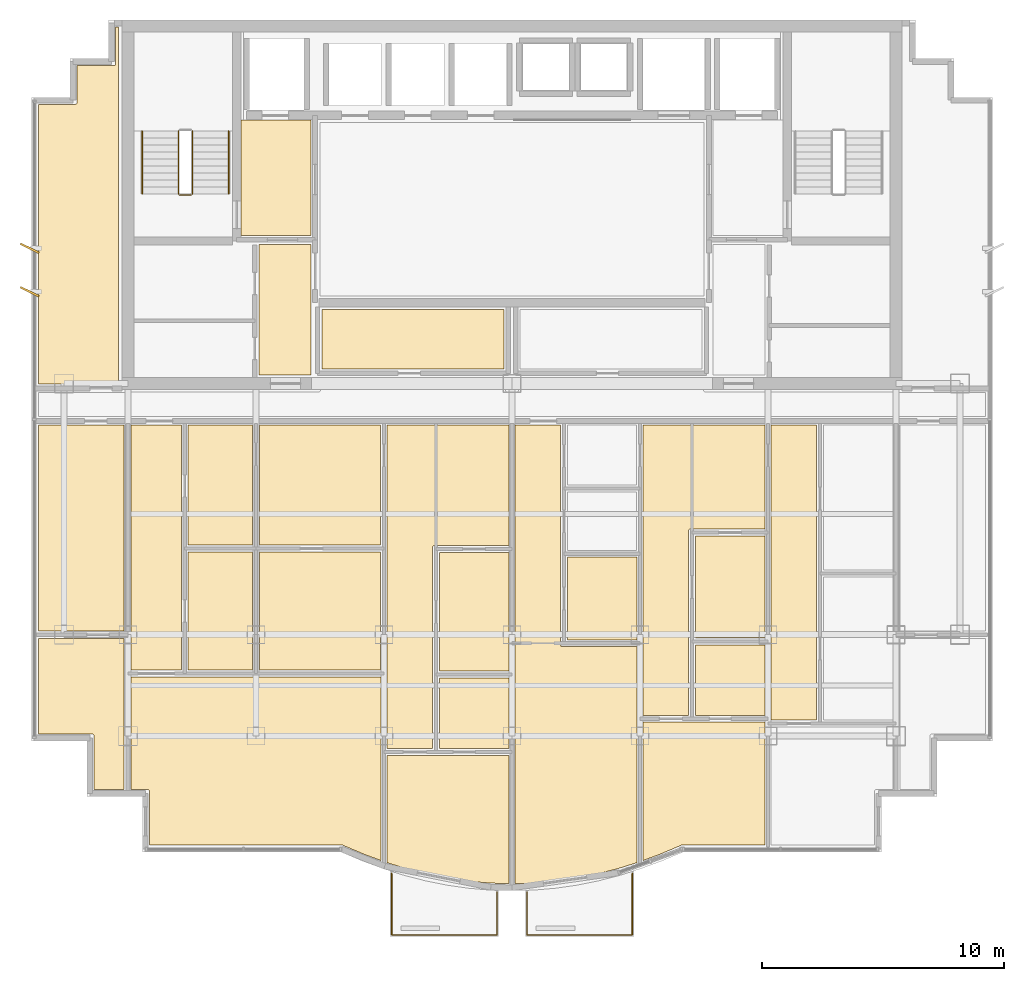
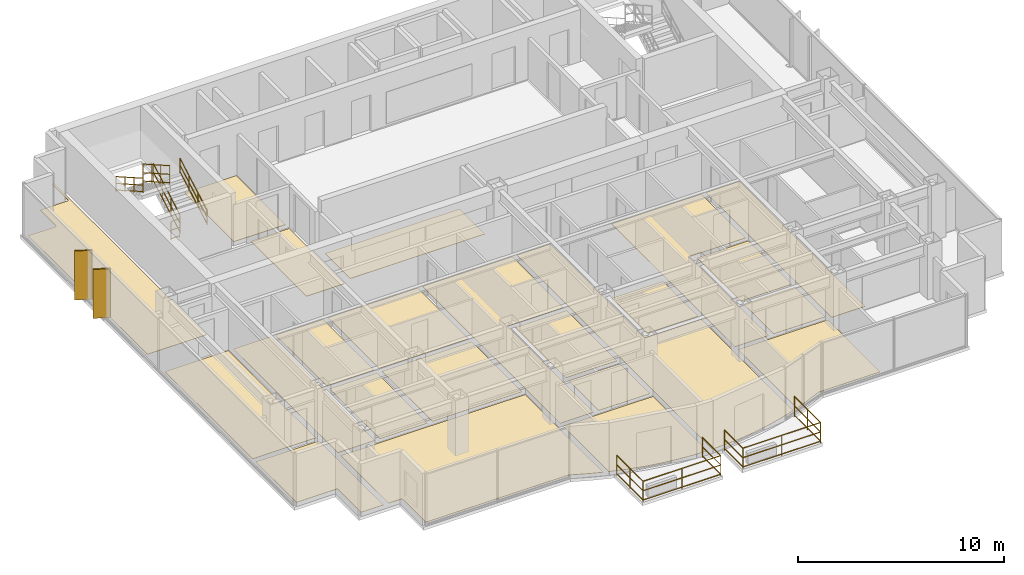
# One storey, part 11 of 12: 23 coverings, 7 railings, 2 shading devices.
"""IFC4 building model written with IfcOpenShell, lengths in metres."""

import ifcopenshell
import ifcopenshell.guid

model = None  # the IFC model being written
_history = None  # IfcOwnerHistory: only IFC2X3 demands one
_inside = {}  # id of a spatial element -> (the spatial element, [elements in it])
_under = {}  # id of a project, library or spatial element -> (it, [spatial elements below it])
_declared = {}  # id of a project -> (the project, [libraries it declares])
_typed = {}  # id of a type object -> (the type object, [elements of that type])
_made_of = {}  # id of a material, layer set ... -> (it, [elements and type objects made of it])


def new_model(schema):
    """Start an empty IFC model of exactly this schema.

    Asked for "IFC4X3", IfcOpenShell would pick the latest addendum, in which some entities
    have other attributes; the version numbers below select the first issue.
    IFC2X3 requires an IfcOwnerHistory on every rooted entity: one is made here for all.
    """
    global model, _history
    if schema == "IFC4X3":
        model = ifcopenshell.file(schema_version=(4, 3, 0, 0))
    else:
        model = ifcopenshell.file(schema=schema)
    _inside.clear()
    _under.clear()
    _declared.clear()
    _typed.clear()
    _made_of.clear()
    _history = None
    if model.schema == "IFC2X3":
        org = make("IfcOrganization", Name="unknown")
        user = make(
            "IfcPersonAndOrganization",
            ThePerson=make("IfcPerson", FamilyName="unknown"),
            TheOrganization=org,
        )
        app = make(
            "IfcApplication",
            ApplicationDeveloper=org,
            Version="unknown",
            ApplicationFullName="unknown",
            ApplicationIdentifier="unknown",
        )
        _history = make(
            "IfcOwnerHistory",
            OwningUser=user,
            OwningApplication=app,
            ChangeAction="ADDED",
            CreationDate=0,
        )
    return model


def make(cls, **values):
    """One entity of the class cls with the attributes given. An attribute that is None is left unset."""
    return model.create_entity(
        cls, **{name: value for name, value in values.items() if value is not None}
    )


def rooted(cls, **values):
    """An entity with a GlobalId (a new one), such as an element, a storey or a relation."""
    return make(cls, GlobalId=ifcopenshell.guid.new(), OwnerHistory=_history, **values)


def si_unit(unit_type, name, prefix=None):
    """IfcSIUnit, for example si_unit("LENGTHUNIT", "METRE", prefix="MILLI")."""
    return make("IfcSIUnit", UnitType=unit_type, Prefix=prefix, Name=name)


def assignment(units):
    """IfcUnitAssignment: the units of a project."""
    return None if units is None else make("IfcUnitAssignment", Units=units)


def point(xyz):
    """IfcCartesianPoint."""
    return None if xyz is None else make("IfcCartesianPoint", Coordinates=xyz)


def direction(xyz):
    """IfcDirection."""
    return None if xyz is None else make("IfcDirection", DirectionRatios=xyz)


def frame(location, z_axis=None, x_axis=None):
    """IfcAxis2Placement3D, a coordinate frame: its origin and axes. An axis left out is left unset."""
    return make(
        "IfcAxis2Placement3D",
        Location=point(location),
        Axis=direction(z_axis),
        RefDirection=direction(x_axis),
    )


def frame_2d(location, x_axis=None):
    """IfcAxis2Placement2D, a coordinate frame in the plane: its origin and x axis."""
    return make(
        "IfcAxis2Placement2D", Location=point(location), RefDirection=direction(x_axis)
    )


def origin():
    """The frame at (0, 0, 0) with its axes left unset."""
    return frame((0.0, 0.0, 0.0))


def origin_2d():
    """The frame at (0, 0) in the plane with its x axis left unset."""
    return frame_2d((0.0, 0.0))


def place(relative_to, where):
    """IfcLocalPlacement: puts the frame where relative to a parent placement (None: the world)."""
    return make(
        "IfcLocalPlacement", PlacementRelTo=relative_to, RelativePlacement=where
    )


def context(
    kind, dimensions, precision=None, world=None, true_north=None, identifier=None
):
    """IfcGeometricRepresentationContext, for example the 3D "Model" context."""
    return make(
        "IfcGeometricRepresentationContext",
        ContextIdentifier=identifier,
        ContextType=kind,
        CoordinateSpaceDimension=dimensions,
        Precision=precision,
        WorldCoordinateSystem=world,
        TrueNorth=true_north,
    )


def subcontext(parent, identifier, kind, view, scale=None):
    """IfcGeometricRepresentationSubContext, for example "Body" below "Model"."""
    return make(
        "IfcGeometricRepresentationSubContext",
        ContextIdentifier=identifier,
        ContextType=kind,
        ParentContext=parent,
        TargetScale=scale,
        TargetView=view,
    )


def project(units=None, contexts=None):
    """IfcProject with its units and contexts."""
    return rooted(
        "IfcProject",
        Name="project",
        RepresentationContexts=contexts,
        UnitsInContext=assignment(units),
    )


def spatial(cls, under=None, at=None, **own):
    """A site, building, storey or space (cls), placed at a placement, below another one or the project."""
    s = rooted(cls, ObjectPlacement=at, **own)
    if under is not None:
        _under.setdefault(under.id(), (under, []))[1].append(s)
    return s


def polyline(points):
    """IfcPolyline through the points."""
    return make("IfcPolyline", Points=[point(p) for p in points])


def profile(cls, at=None, kind="AREA", **sizes):
    """A parametric profile (cls). Its sizes go by their IFC names, for example OverallWidth=200.0."""
    return make(cls, ProfileType=kind, Position=at, **sizes)


def rectangle(**sizes):
    """IfcRectangleProfileDef."""
    return profile("IfcRectangleProfileDef", **sizes)


def circle(**sizes):
    """IfcCircleProfileDef."""
    return profile("IfcCircleProfileDef", **sizes)


def outline(outer, holes=None, kind="AREA"):
    """IfcArbitraryClosedProfileDef: a profile drawn as a closed curve; with holes, ...WithVoids."""
    if holes is None:
        return make("IfcArbitraryClosedProfileDef", ProfileType=kind, OuterCurve=outer)
    return make(
        "IfcArbitraryProfileDefWithVoids",
        ProfileType=kind,
        OuterCurve=outer,
        InnerCurves=holes,
    )


def extrude(swept, where, along, depth):
    """IfcExtrudedAreaSolid: the profile swept, set in the frame where, extruded along a direction by depth."""
    return make(
        "IfcExtrudedAreaSolid",
        SweptArea=swept,
        Position=where,
        ExtrudedDirection=direction(along),
        Depth=depth,
    )


def shape(context_of_items, identifier, shape_type, items):
    """IfcShapeRepresentation: the items that make up one representation, for example the "Body"."""
    return make(
        "IfcShapeRepresentation",
        ContextOfItems=context_of_items,
        RepresentationIdentifier=identifier,
        RepresentationType=shape_type,
        Items=items,
    )


def source(mapping_origin, context_of_items, identifier, shape_type, items):
    """IfcRepresentationMap: a shape defined once, which mapped items show again and again."""
    return make(
        "IfcRepresentationMap",
        MappingOrigin=mapping_origin,
        MappedRepresentation=shape(context_of_items, identifier, shape_type, items),
    )


def transform(
    local_origin,
    x_axis=None,
    y_axis=None,
    z_axis=None,
    scale=None,
    scale2=None,
    scale3=None,
    uniform=True,
):
    """IfcCartesianTransformationOperator3D, or its non-uniform kind. x_axis, y_axis, z_axis: its Axis1, 2, 3."""
    if uniform:
        return make(
            "IfcCartesianTransformationOperator3D",
            Axis1=direction(x_axis),
            Axis2=direction(y_axis),
            LocalOrigin=point(local_origin),
            Scale=scale,
            Axis3=direction(z_axis),
        )
    return make(
        "IfcCartesianTransformationOperator3DnonUniform",
        Axis1=direction(x_axis),
        Axis2=direction(y_axis),
        LocalOrigin=point(local_origin),
        Scale=scale,
        Axis3=direction(z_axis),
        Scale2=scale2,
        Scale3=scale3,
    )


def mapped(mapping_source, mapping_target):
    """IfcMappedItem: shows the shape of a source again, moved by a transform."""
    return make(
        "IfcMappedItem", MappingSource=mapping_source, MappingTarget=mapping_target
    )


def material(Name=None, Category=None):
    """IfcMaterial."""
    return make("IfcMaterial", Name=Name, Category=Category)


def layer(
    of_material, thickness, ventilated=None, Name=None, Category=None, Priority=None
):
    """IfcMaterialLayer: one layer of a wall or slab, of a material (None: an air gap)."""
    return make(
        "IfcMaterialLayer",
        Material=of_material,
        LayerThickness=thickness,
        IsVentilated=ventilated,
        Name=Name,
        Category=Category,
        Priority=Priority,
    )


def layer_set(layers, Name=None):
    """IfcMaterialLayerSet."""
    return make("IfcMaterialLayerSet", MaterialLayers=layers, LayerSetName=Name)


def made_of(thing, what):
    """Note that an element or type object is made of a material, layer set ...; save() writes the relation."""
    if what is not None:
        _made_of.setdefault(what.id(), (what, []))[1].append(thing)
    return thing


def type_object(cls, material=None, **own):
    """A type object (cls), such as IfcWallType, which elements share."""
    return made_of(rooted(cls, **own), material)


def element(
    cls,
    number,
    at=None,
    inside=None,
    cuts=None,
    type_object=None,
    material=None,
    context=None,
    identifier="Body",
    shape_type=None,
    held_by="IfcProductDefinitionShape",
    body=None,
    shapes=None,
    **own,
):
    """One element of the class cls, such as IfcWall. Its Tag is "e" and its number.

    at: its placement. inside: the storey or other place that contains it. cuts: it is an
    opening in that element (IfcRelVoidsElement). A single representation is given by context,
    identifier, shape_type and body (its items); several are given by shapes. held_by: the class
    of the entity that holds the representations. save() writes the other relations.
    """
    e = rooted(cls, Tag="e%d" % number, ObjectPlacement=at, **own)
    if body is not None:
        shapes = [shape(context, identifier, shape_type, body)]
    if shapes is not None:
        e.Representation = make(held_by, Representations=shapes)
    if inside is not None:
        _inside.setdefault(inside.id(), (inside, []))[1].append(e)
    if cuts is not None:
        rooted(
            "IfcRelVoidsElement", RelatingBuildingElement=cuts, RelatedOpeningElement=e
        )
    if type_object is not None:
        _typed.setdefault(type_object.id(), (type_object, []))[1].append(e)
    return made_of(e, material)


def aggregate(whole, parts):
    """IfcRelAggregates: a whole, such as a stair, and the parts it consists of."""
    return rooted("IfcRelAggregates", RelatingObject=whole, RelatedObjects=parts)


def save(model, path):
    """Write the relations noted so far, then the file.

    IfcRelAggregates (storeys below a building ...), IfcRelContainedInSpatialStructure (elements
    in a storey), IfcRelDefinesByType, IfcRelAssociatesMaterial and IfcRelDeclares: one each for
    every whole, place, type object, material and project.
    """
    for whole, parts in _under.values():
        aggregate(whole, parts)
    for where, things in _inside.values():
        rooted(
            "IfcRelContainedInSpatialStructure",
            RelatedElements=things,
            RelatingStructure=where,
        )
    for kind, things in _typed.values():
        rooted("IfcRelDefinesByType", RelatedObjects=things, RelatingType=kind)
    for what, things in _made_of.values():
        rooted("IfcRelAssociatesMaterial", RelatedObjects=things, RelatingMaterial=what)
    for by, libraries in _declared.values():
        rooted("IfcRelDeclares", RelatingContext=by, RelatedDefinitions=libraries)
    model.write(path)


model = new_model("IFC4")

# Units and contexts
model_context = context("Model", 3, precision=1e-05, world=origin(), true_north=direction((0.0, 1.0)))
body_context = subcontext(model_context, "Body", "Model", "MODEL_VIEW")
ifc_project = project(units=[si_unit("LENGTHUNIT", "METRE"), si_unit("AREAUNIT", "SQUARE_METRE"), si_unit("VOLUMEUNIT", "CUBIC_METRE"), si_unit("PLANEANGLEUNIT", "RADIAN"), si_unit("MASSUNIT", "GRAM", prefix="KILO")], contexts=[model_context])

# Site, building, storey
site_placement = place(None, origin())
site = spatial("IfcSite", under=ifc_project, at=site_placement, CompositionType="ELEMENT")
building_placement = place(site_placement, origin())
building = spatial("IfcBuilding", under=site, at=building_placement, Name="Qianlan Lanfeng Residences", CompositionType="ELEMENT")
storey_placement = place(building_placement, frame((0.0, 0.0, 216.5)))
storey = spatial("IfcBuildingStorey", under=building, at=storey_placement, Name="L59", CompositionType="ELEMENT", Elevation=216.5)

# Coverings
ifc_material_1 = material(Name="Honed Taitung Granite Stone Flooring", Category="masonry")
ifc_layer_1 = layer(ifc_material_1, 0.030029296875)
ifc_layer_set_1 = layer_set([ifc_layer_1], Name="Honed Taitung Granite Stone Flooring")
covering_type_1 = type_object("IfcCoveringType", Name="FLR-STN-30", PredefinedType="FLOORING", material=ifc_layer_set_1)
covering_1_placement = place(storey_placement, origin())
element("IfcCovering", 1, at=covering_1_placement, inside=storey, type_object=covering_type_1, Name="L59 Firefighting Lift Lobby Floor Finish", PredefinedType="FLOORING", context=body_context, shape_type="SweptSolid", body=[
    extrude(outline(polyline([(15.2900390625, 31.320068359375), (18.179931640625, 31.320068359375), (18.179931640625, 36.110107421875), (15.2900390625, 36.110107421875), (15.2900390625, 31.320068359375)])), origin(), (0.0, 0.0, 1.0), 0.030029296875),
])
covering_2_placement = place(storey_placement, origin())
element("IfcCovering", 2, at=covering_2_placement, inside=storey, type_object=covering_type_1, Name="L59 Lift Lobby Floor Finish", PredefinedType="FLOORING", context=body_context, shape_type="SweptSolid", body=[
    extrude(outline(polyline([(16.030029296875, 25.56005859375), (18.169921875, 25.56005859375), (18.169921875, 30.949951171875), (16.030029296875, 30.949951171875), (16.030029296875, 25.56005859375)])), origin(), (0.0, 0.0, 1.0), 0.030029296875),
])
ifc_material_2 = material(Name="Slip-Resistant Porcelain Tile Flooring")
ifc_layer_2 = layer(ifc_material_2, 0.02001953125)
ifc_layer_set_2 = layer_set([ifc_layer_2], Name="Slip-Resistant Porcelain Tile Flooring")
covering_type_2 = type_object("IfcCoveringType", Name="FLR-TIL-20", PredefinedType="FLOORING", material=ifc_layer_set_2)
covering_3_placement = place(storey_placement, origin())
element("IfcCovering", 3, at=covering_3_placement, inside=storey, type_object=covering_type_2, Name="L59 Kitchen Floor Finish", PredefinedType="FLOORING", context=body_context, shape_type="SweptSolid", body=[
    extrude(outline(polyline([(13.090087890625, 13.330078125), (15.760009765625, 13.330078125), (15.760009765625, 18.22998046875), (13.090087890625, 18.22998046875), (13.090087890625, 13.330078125)])), origin(), (0.0, 0.0, 1.0), 0.02001953125),
])
covering_4_placement = place(storey_placement, origin())
element("IfcCovering", 4, at=covering_4_placement, inside=storey, type_object=covering_type_2, Name="L59 Bathroom Floor Finish", PredefinedType="FLOORING", context=body_context, shape_type="SweptSolid", body=[
    extrude(outline(polyline([(13.090087890625, 18.510009765625), (15.760009765625, 18.510009765625), (15.760009765625, 23.47998046875), (13.090087890625, 23.47998046875), (13.090087890625, 18.510009765625)])), origin(), (0.0, 0.0, 1.0), 0.02001953125),
])
covering_5_placement = place(storey_placement, origin())
element("IfcCovering", 5, at=covering_5_placement, inside=storey, type_object=covering_type_2, Name="L59 En-Suite Bathroom Floor Finish", PredefinedType="FLOORING", context=body_context, shape_type="SweptSolid", body=[
    extrude(outline(polyline([(23.489990234375, 10.087890625), (26.3701171875, 10.087890625), (26.3701171875, 13.008056640625), (23.489990234375, 13.008056640625), (23.489990234375, 10.087890625)])), origin(), (0.0, 0.0, 1.0), 0.02001953125),
])
covering_6_placement = place(storey_placement, origin())
element("IfcCovering", 6, at=covering_6_placement, inside=storey, type_object=covering_type_2, Name="L59 En-Suite Bathroom Floor Finish", PredefinedType="FLOORING", context=body_context, shape_type="SweptSolid", body=[
    extrude(outline(polyline([(34.090087890625, 11.4599609375), (36.969970703125, 11.4599609375), (36.969970703125, 14.3798828125), (34.090087890625, 14.3798828125), (34.090087890625, 11.4599609375)])), origin(), (0.0, 0.0, 1.0), 0.02001953125),
])
ifc_material_3 = material(Name="Engineered Smoked Oak Timber Flooring", Category="wood")
ifc_layer_3 = layer(ifc_material_3, 0.02197265625)
ifc_layer_set_3 = layer_set([ifc_layer_3], Name="Engineered Smoked Oak Timber Flooring")
covering_type_3 = type_object("IfcCoveringType", Name="FLR-TIM-22", PredefinedType="FLOORING", material=ifc_layer_set_3)
covering_7_placement = place(storey_placement, origin())
element("IfcCovering", 7, at=covering_7_placement, inside=storey, type_object=covering_type_3, Name="L59 Resident Study Salon Floor Finish", PredefinedType="FLOORING", context=body_context, shape_type="SweptSolid", body=[
    extrude(outline(polyline([(18.6298828125, 25.800048828125), (26.169921875, 25.800048828125), (26.169921875, 28.2548828125), (18.6298828125, 28.2548828125), (18.6298828125, 25.800048828125)])), origin(), (0.0, 0.0, 1.0), 0.02197265625),
])
covering_8_placement = place(storey_placement, origin())
element("IfcCovering", 8, at=covering_8_placement, inside=storey, type_object=covering_type_3, Name="L59 Living and Dining Room Floor Finish", PredefinedType="FLOORING", context=body_context, shape_type="SweptSolid", body=[
    extrude(outline(polyline([(10.72998046875, 13.050048828125), (10.72998046875, 8.389892578125), (11.419921875, 8.389892578125), (11.427001953125, 8.389892578125), (11.43408203125, 8.388916015625), (11.43994140625, 8.386962890625), (11.447021484375, 8.385009765625), (11.452880859375, 8.382080078125), (11.458984375, 8.3779296875), (11.464111328125, 8.3740234375), (11.468994140625, 8.368896484375), (11.47412109375, 8.364013671875), (11.47802734375, 8.35888671875), (11.48193359375, 8.35302734375), (11.485107421875, 8.346923828125), (11.487060546875, 8.340087890625), (11.489013671875, 8.333984375), (11.489990234375, 8.326904296875), (11.489990234375, 8.320068359375), (11.489990234375, 6.090087890625), (19.465087890625, 6.090087890625), (19.471923828125, 6.090087890625), (19.47900390625, 6.089111328125), (19.485107421875, 6.0869140625), (19.491943359375, 6.083984375), (20.412109375, 5.695068359375), (21.070068359375, 5.452880859375), (21.070068359375, 13.050048828125), (10.72998046875, 13.050048828125)])), origin(), (0.0, 0.0, 1.0), 0.02197265625),
])
covering_9_placement = place(storey_placement, origin())
element("IfcCovering", 9, at=covering_9_placement, inside=storey, type_object=covering_type_3, Name="L59 Family Sitting Room Floor Finish", PredefinedType="FLOORING", context=body_context, shape_type="SweptSolid", body=[
    extrude(outline(polyline([(10.72998046875, 13.330078125), (12.81005859375, 13.330078125), (12.81005859375, 23.47998046875), (10.72998046875, 23.47998046875), (10.72998046875, 13.330078125)])), origin(), (0.0, 0.0, 1.0), 0.02197265625),
])
covering_10_placement = place(storey_placement, origin())
element("IfcCovering", 10, at=covering_10_placement, inside=storey, type_object=covering_type_3, Name="L59 Yoga Studio Floor Finish", PredefinedType="FLOORING", context=body_context, shape_type="SweptSolid", body=[
    extrude(outline(polyline([(16.0400390625, 13.330078125), (21.06005859375, 13.330078125), (21.06005859375, 18.22998046875), (16.0400390625, 18.22998046875), (16.0400390625, 13.330078125)])), origin(), (0.0, 0.0, 1.0), 0.02197265625),
])
covering_11_placement = place(storey_placement, origin())
element("IfcCovering", 11, at=covering_11_placement, inside=storey, type_object=covering_type_3, Name="L59 Home Office Floor Finish", PredefinedType="FLOORING", context=body_context, shape_type="SweptSolid", body=[
    extrude(outline(polyline([(16.0400390625, 18.510009765625), (21.06005859375, 18.510009765625), (21.06005859375, 23.47998046875), (16.0400390625, 23.47998046875), (16.0400390625, 18.510009765625)])), origin(), (0.0, 0.0, 1.0), 0.02197265625),
])
covering_12_placement = place(storey_placement, origin())
element("IfcCovering", 12, at=covering_12_placement, inside=storey, type_object=covering_type_3, Name="L59 Private Study Floor Finish", PredefinedType="FLOORING", context=body_context, shape_type="SweptSolid", body=[
    extrude(outline(polyline([(23.489990234375, 13.2880859375), (26.3701171875, 13.2880859375), (26.3701171875, 18.208984375), (23.489990234375, 18.208984375), (23.489990234375, 13.2880859375)])), origin(), (0.0, 0.0, 1.0), 0.02197265625),
])
covering_13_placement = place(storey_placement, origin())
element("IfcCovering", 13, at=covering_13_placement, inside=storey, type_object=covering_type_3, Name="L59 Villa Family Sitting Room Floor Finish", PredefinedType="FLOORING", context=body_context, shape_type="SweptSolid", body=[
    extrude(outline(polyline([(21.330078125, 10.087890625), (23.2099609375, 10.087890625), (23.2099609375, 18.4189453125), (23.2099609375, 18.426025390625), (23.2109375, 18.43310546875), (23.212890625, 18.43896484375), (23.215087890625, 18.446044921875), (23.218017578125, 18.451904296875), (23.221923828125, 18.4580078125), (23.22607421875, 18.462890625), (23.23095703125, 18.468017578125), (23.236083984375, 18.472900390625), (23.240966796875, 18.47705078125), (23.2470703125, 18.48095703125), (23.2529296875, 18.48388671875), (23.260009765625, 18.486083984375), (23.26611328125, 18.488037109375), (23.27294921875, 18.489013671875), (23.280029296875, 18.489013671875), (26.3701171875, 18.489013671875), (26.3701171875, 23.47998046875), (21.330078125, 23.47998046875), (21.330078125, 10.087890625)])), origin(), (0.0, 0.0, 1.0), 0.02197265625),
])
covering_14_placement = place(storey_placement, origin())
element("IfcCovering", 14, at=covering_14_placement, inside=storey, type_object=covering_type_3, Name="L59 Master Bedroom Floor Finish", PredefinedType="FLOORING", context=body_context, shape_type="SweptSolid", body=[
    extrude(outline(polyline([(21.330078125, 9.80810546875), (21.3310546875, 5.360107421875), (22.154052734375, 5.10400390625), (23.02392578125, 4.883056640625), (23.89306640625, 4.7109375), (24.762939453125, 4.587890625), (25.631103515625, 4.514892578125), (26.3701171875, 4.493896484375), (26.3701171875, 9.80810546875), (21.330078125, 9.80810546875)])), origin(), (0.0, 0.0, 1.0), 0.02197265625),
])
covering_15_placement = place(storey_placement, origin())
element("IfcCovering", 15, at=covering_15_placement, inside=storey, type_object=covering_type_3, Name="L59 Living and Dining Room Floor Finish", PredefinedType="FLOORING", context=body_context, shape_type="SweptSolid", body=[
    extrude(outline(polyline([(31.669921875, 5.360107421875), (31.669921875, 14.30810546875), (28.580078125, 14.30810546875), (28.572998046875, 14.30810546875), (28.56591796875, 14.30908203125), (28.56005859375, 14.31103515625), (28.552978515625, 14.31298828125), (28.547119140625, 14.31591796875), (28.541015625, 14.320068359375), (28.535888671875, 14.323974609375), (28.531005859375, 14.3291015625), (28.52587890625, 14.333984375), (28.52197265625, 14.339111328125), (28.51806640625, 14.344970703125), (28.514892578125, 14.35107421875), (28.512939453125, 14.35791015625), (28.510986328125, 14.364013671875), (28.510009765625, 14.37109375), (28.510009765625, 14.3779296875), (28.510009765625, 23.47998046875), (26.6298828125, 23.47998046875), (26.6298828125, 4.493896484375), (27.368896484375, 4.514892578125), (28.237060546875, 4.587890625), (29.10693359375, 4.7109375), (29.97607421875, 4.883056640625), (30.845947265625, 5.10400390625), (31.669921875, 5.360107421875)])), origin(), (0.0, 0.0, 1.0), 0.02197265625),
])
covering_16_placement = place(storey_placement, origin())
element("IfcCovering", 16, at=covering_16_placement, inside=storey, type_object=covering_type_3, Name="L59 Private Study Floor Finish", PredefinedType="FLOORING", context=body_context, shape_type="SweptSolid", body=[
    extrude(outline(polyline([(28.7900390625, 18.010009765625), (28.7900390625, 14.587890625), (31.669921875, 14.587890625), (31.669921875, 18.010009765625), (28.7900390625, 18.010009765625)])), origin(), (0.0, 0.0, 1.0), 0.02197265625),
])
covering_17_placement = place(storey_placement, origin())
element("IfcCovering", 17, at=covering_17_placement, inside=storey, type_object=covering_type_3, Name="L59 Private Study Floor Finish", PredefinedType="FLOORING", context=body_context, shape_type="SweptSolid", body=[
    extrude(outline(polyline([(34.090087890625, 14.659912109375), (36.969970703125, 14.659912109375), (36.969970703125, 18.89501953125), (34.090087890625, 18.89501953125), (34.090087890625, 14.659912109375)])), origin(), (0.0, 0.0, 1.0), 0.02197265625),
])
covering_18_placement = place(storey_placement, origin())
element("IfcCovering", 18, at=covering_18_placement, inside=storey, type_object=covering_type_3, Name="L59 Villa Family Sitting Room Floor Finish", PredefinedType="FLOORING", context=body_context, shape_type="SweptSolid", body=[
    extrude(outline(polyline([(31.929931640625, 11.4599609375), (33.81005859375, 11.4599609375), (33.81005859375, 19.10498046875), (33.81005859375, 19.112060546875), (33.81103515625, 19.118896484375), (33.81298828125, 19.125), (33.81494140625, 19.132080078125), (33.818115234375, 19.137939453125), (33.822021484375, 19.14404296875), (33.825927734375, 19.14892578125), (33.8310546875, 19.154052734375), (33.8359375, 19.158935546875), (33.841064453125, 19.1630859375), (33.846923828125, 19.1669921875), (33.85302734375, 19.169921875), (33.860107421875, 19.172119140625), (33.865966796875, 19.174072265625), (33.873046875, 19.175048828125), (33.8798828125, 19.175048828125), (36.969970703125, 19.175048828125), (36.969970703125, 23.47998046875), (31.929931640625, 23.47998046875), (31.929931640625, 11.4599609375)])), origin(), (0.0, 0.0, 1.0), 0.02197265625),
])
covering_19_placement = place(storey_placement, origin())
element("IfcCovering", 19, at=covering_19_placement, inside=storey, type_object=covering_type_3, Name="L59 Master Bedroom Floor Finish", PredefinedType="FLOORING", context=body_context, shape_type="SweptSolid", body=[
    extrude(outline(polyline([(31.929931640625, 11.179931640625), (31.929931640625, 5.452880859375), (32.587890625, 5.695068359375), (33.508056640625, 6.083984375), (33.514892578125, 6.0869140625), (33.52099609375, 6.089111328125), (33.528076171875, 6.090087890625), (33.534912109375, 6.090087890625), (36.969970703125, 6.090087890625), (36.969970703125, 11.179931640625), (31.929931640625, 11.179931640625)])), origin(), (0.0, 0.0, 1.0), 0.02197265625),
])
covering_20_placement = place(storey_placement, origin())
element("IfcCovering", 20, at=covering_20_placement, inside=storey, type_object=covering_type_3, Name="L59 Home Office Floor Finish", PredefinedType="FLOORING", context=body_context, shape_type="SweptSolid", body=[
    extrude(outline(polyline([(37.22998046875, 11.260009765625), (39.110107421875, 11.260009765625), (39.110107421875, 23.47998046875), (37.22998046875, 23.47998046875), (37.22998046875, 11.260009765625)])), origin(), (0.0, 0.0, 1.0), 0.02197265625),
])
covering_21_placement = place(storey_placement, origin())
element("IfcCovering", 21, at=covering_21_placement, inside=storey, type_object=covering_type_3, Name="L59 Sunroom Floor Finish", PredefinedType="FLOORING", context=body_context, shape_type="SweptSolid", body=[
    extrude(outline(polyline([(10.43994140625, 14.64990234375), (6.889892578125, 14.64990234375), (6.889892578125, 10.68994140625), (9.1201171875, 10.68994140625), (9.126953125, 10.68994140625), (9.134033203125, 10.68896484375), (9.139892578125, 10.68701171875), (9.14697265625, 10.68505859375), (9.153076171875, 10.681884765625), (9.158935546875, 10.677978515625), (9.1640625, 10.674072265625), (9.1689453125, 10.6689453125), (9.174072265625, 10.6640625), (9.177978515625, 10.658935546875), (9.181884765625, 10.653076171875), (9.18505859375, 10.64697265625), (9.18701171875, 10.639892578125), (9.18896484375, 10.634033203125), (9.18994140625, 10.626953125), (9.18994140625, 10.6201171875), (9.18994140625, 8.389892578125), (10.43994140625, 8.389892578125), (10.43994140625, 14.64990234375)])), origin(), (0.0, 0.0, 1.0), 0.02197265625),
])
covering_22_placement = place(storey_placement, origin())
element("IfcCovering", 22, at=covering_22_placement, inside=storey, type_object=covering_type_3, Name="L59 Family Sitting Room Floor Finish", PredefinedType="FLOORING", context=body_context, shape_type="SweptSolid", body=[
    extrude(outline(polyline([(10.43994140625, 23.47998046875), (6.889892578125, 23.47998046875), (6.889892578125, 14.949951171875), (10.43994140625, 14.949951171875), (10.43994140625, 23.47998046875)])), origin(), (0.0, 0.0, 1.0), 0.02197265625),
])
covering_23_placement = place(storey_placement, origin())
element("IfcCovering", 23, at=covering_23_placement, inside=storey, type_object=covering_type_3, Name="L59 Yoga Studio Floor Finish", PredefinedType="FLOORING", context=body_context, shape_type="SweptSolid", body=[
    extrude(outline(polyline([(10.199951171875, 25.169921875), (10.199951171875, 39.9599609375), (10.090087890625, 39.9599609375), (10.090087890625, 38.429931640625), (10.090087890625, 38.423095703125), (10.089111328125, 38.416015625), (10.0869140625, 38.409912109375), (10.0849609375, 38.403076171875), (10.08203125, 38.39697265625), (10.077880859375, 38.39111328125), (10.073974609375, 38.385986328125), (10.069091796875, 38.381103515625), (10.06396484375, 38.3759765625), (10.05908203125, 38.3720703125), (10.052978515625, 38.367919921875), (10.047119140625, 38.364990234375), (10.0400390625, 38.363037109375), (10.033935546875, 38.361083984375), (10.027099609375, 38.360107421875), (10.02001953125, 38.360107421875), (8.489990234375, 38.360107421875), (8.489990234375, 36.830078125), (8.489990234375, 36.822998046875), (8.489013671875, 36.81591796875), (8.487060546875, 36.81005859375), (8.485107421875, 36.802978515625), (8.48193359375, 36.797119140625), (8.47802734375, 36.791015625), (8.47412109375, 36.785888671875), (8.468994140625, 36.781005859375), (8.464111328125, 36.77587890625), (8.458984375, 36.77197265625), (8.452880859375, 36.76806640625), (8.447021484375, 36.764892578125), (8.43994140625, 36.762939453125), (8.43408203125, 36.760986328125), (8.427001953125, 36.760009765625), (8.419921875, 36.760009765625), (6.889892578125, 36.760009765625), (6.889892578125, 25.169921875), (10.199951171875, 25.169921875)])), origin(), (0.0, 0.0, 1.0), 0.02197265625),
])

# Railings
ifc_material_4 = material(Name="Anodised Bronze Aluminium and Laminated Glass Guard Balustrade", Category="aluminium")
railing_type_1 = type_object("IfcRailingType", Name="GR-EXT-1220", PredefinedType="BALUSTRADE", material=ifc_material_4)
railing_1_placement = place(storey_placement, frame((25.8798828125, 4.14794921875, 0.0)))
element("IfcRailing", 24, at=railing_1_placement, inside=storey, type_object=railing_type_1, Name="L59 Terrace Safety Guard GR-L59-SB-W", PredefinedType="BALUSTRADE", context=body_context, shape_type="SweptSolid", body=[
    extrude(circle(Radius=0.02490234375, at=origin_2d()), frame((0.0, 0.0, 0.0849609375), z_axis=(0.0, -1.0, 0.0), x_axis=(1.0, 0.0, 0.0)), (0.0, 0.0, 1.0), 1.77783203125),
    extrude(circle(Radius=0.02490234375, at=origin_2d()), frame((0.0, 0.0, 0.63427734375), z_axis=(0.0, -1.0, 0.0), x_axis=(1.0, 0.0, 0.0)), (0.0, 0.0, 1.0), 1.77783203125),
    extrude(circle(Radius=0.02490234375, at=origin_2d()), frame((0.0, 0.0, 1.19482421875), z_axis=(0.0, -1.0, 0.0), x_axis=(1.0, 0.0, 0.0)), (0.0, 0.0, 1.0), 1.77783203125),
    extrude(circle(Radius=0.02490234375, at=origin_2d()), frame((0.0, -1.77783203125, 0.0849609375), z_axis=(-1.0, 0.0, 0.0), x_axis=(0.0, -1.0, 0.0)), (0.0, 0.0, 1.0), 4.35986328125),
    extrude(circle(Radius=0.02490234375, at=origin_2d()), frame((0.0, -1.77783203125, 0.63427734375), z_axis=(-1.0, 0.0, 0.0), x_axis=(0.0, -1.0, 0.0)), (0.0, 0.0, 1.0), 4.35986328125),
    extrude(circle(Radius=0.02490234375, at=origin_2d()), frame((0.0, -1.77783203125, 1.19482421875), z_axis=(-1.0, 0.0, 0.0), x_axis=(0.0, -1.0, 0.0)), (0.0, 0.0, 1.0), 4.35986328125),
    extrude(circle(Radius=0.02490234375, at=origin_2d()), frame((-4.35986328125, -1.77783203125, 0.0849609375), z_axis=(0.0, 1.0, 0.0), x_axis=(-1.0, 0.0, 0.0)), (0.0, 0.0, 1.0), 2.553955078125),
    extrude(circle(Radius=0.02490234375, at=origin_2d()), frame((-4.35986328125, -1.77783203125, 0.63427734375), z_axis=(0.0, 1.0, 0.0), x_axis=(-1.0, 0.0, 0.0)), (0.0, 0.0, 1.0), 2.553955078125),
    extrude(circle(Radius=0.02490234375, at=origin_2d()), frame((-4.35986328125, -1.77783203125, 1.19482421875), z_axis=(0.0, 1.0, 0.0), x_axis=(-1.0, 0.0, 0.0)), (0.0, 0.0, 1.0), 2.553955078125),
    extrude(circle(Radius=0.02099609375, at=origin_2d()), origin(), (0.0, 0.0, 1.0), 1.169921875),
    extrude(circle(Radius=0.02099609375, at=origin_2d()), frame((0.0, -1.77783203125, 0.0)), (0.0, 0.0, 1.0), 1.169921875),
    extrude(circle(Radius=0.02099609375, at=origin_2d()), frame((-2.179931640625, -1.77783203125, 0.0)), (0.0, 0.0, 1.0), 1.169921875),
    extrude(circle(Radius=0.02099609375, at=origin_2d()), frame((-4.35986328125, -1.77783203125, 0.0)), (0.0, 0.0, 1.0), 1.169921875),
    extrude(circle(Radius=0.02099609375, at=origin_2d()), frame((-4.35986328125, -0.5009765625, 0.0)), (0.0, 0.0, 1.0), 1.169921875),
    extrude(circle(Radius=0.02099609375, at=origin_2d()), frame((-4.35986328125, 0.776123046875, 0.0)), (0.0, 0.0, 1.0), 1.169921875),
])
railing_2_placement = place(storey_placement, frame((31.47998046875, 4.924072265625, 0.0)))
element("IfcRailing", 25, at=railing_2_placement, inside=storey, type_object=railing_type_1, Name="L59 Terrace Safety Guard GR-L59-SB-E", PredefinedType="BALUSTRADE", context=body_context, shape_type="SweptSolid", body=[
    extrude(circle(Radius=0.02490234375, at=origin_2d()), frame((0.0, 0.0, 0.0849609375), z_axis=(0.0, -1.0, 0.0), x_axis=(1.0, 0.0, 0.0)), (0.0, 0.0, 1.0), 2.553955078125),
    extrude(circle(Radius=0.02490234375, at=origin_2d()), frame((0.0, 0.0, 0.63427734375), z_axis=(0.0, -1.0, 0.0), x_axis=(1.0, 0.0, 0.0)), (0.0, 0.0, 1.0), 2.553955078125),
    extrude(circle(Radius=0.02490234375, at=origin_2d()), frame((0.0, 0.0, 1.19482421875), z_axis=(0.0, -1.0, 0.0), x_axis=(1.0, 0.0, 0.0)), (0.0, 0.0, 1.0), 2.553955078125),
    extrude(circle(Radius=0.02490234375, at=origin_2d()), frame((0.0, -2.553955078125, 0.0849609375), z_axis=(-1.0, 0.0, 0.0), x_axis=(0.0, -1.0, 0.0)), (0.0, 0.0, 1.0), 4.35986328125),
    extrude(circle(Radius=0.02490234375, at=origin_2d()), frame((0.0, -2.553955078125, 0.63427734375), z_axis=(-1.0, 0.0, 0.0), x_axis=(0.0, -1.0, 0.0)), (0.0, 0.0, 1.0), 4.35986328125),
    extrude(circle(Radius=0.02490234375, at=origin_2d()), frame((0.0, -2.553955078125, 1.19482421875), z_axis=(-1.0, 0.0, 0.0), x_axis=(0.0, -1.0, 0.0)), (0.0, 0.0, 1.0), 4.35986328125),
    extrude(circle(Radius=0.02490234375, at=origin_2d()), frame((-4.35986328125, -2.553955078125, 0.0849609375), z_axis=(0.0, 1.0, 0.0), x_axis=(-1.0, 0.0, 0.0)), (0.0, 0.0, 1.0), 1.77783203125),
    extrude(circle(Radius=0.02490234375, at=origin_2d()), frame((-4.35986328125, -2.553955078125, 0.63427734375), z_axis=(0.0, 1.0, 0.0), x_axis=(-1.0, 0.0, 0.0)), (0.0, 0.0, 1.0), 1.77783203125),
    extrude(circle(Radius=0.02490234375, at=origin_2d()), frame((-4.35986328125, -2.553955078125, 1.19482421875), z_axis=(0.0, 1.0, 0.0), x_axis=(-1.0, 0.0, 0.0)), (0.0, 0.0, 1.0), 1.77783203125),
    extrude(circle(Radius=0.02099609375, at=origin_2d()), origin(), (0.0, 0.0, 1.0), 1.169921875),
    extrude(circle(Radius=0.02099609375, at=origin_2d()), frame((0.0, -1.27685546875, 0.0)), (0.0, 0.0, 1.0), 1.169921875),
    extrude(circle(Radius=0.02099609375, at=origin_2d()), frame((0.0, -2.553955078125, 0.0)), (0.0, 0.0, 1.0), 1.169921875),
    extrude(circle(Radius=0.02099609375, at=origin_2d()), frame((-2.179931640625, -2.553955078125, 0.0)), (0.0, 0.0, 1.0), 1.169921875),
    extrude(circle(Radius=0.02099609375, at=origin_2d()), frame((-4.35986328125, -2.553955078125, 0.0)), (0.0, 0.0, 1.0), 1.169921875),
    extrude(circle(Radius=0.02099609375, at=origin_2d()), frame((-4.35986328125, -0.776123046875, 0.0)), (0.0, 0.0, 1.0), 1.169921875),
])
ifc_material_5 = material(Name="Painted Galvanised Steel Guardrail", Category="steel")
railing_type_2 = type_object("IfcRailingType", Name="GR-ST-1120", PredefinedType="GUARDRAIL", material=ifc_material_5)
railing_3_placement = place(storey_placement, frame((13.27001953125, 33.050048828125, 0.1650390625)))
element("IfcRailing", 26, at=railing_3_placement, inside=storey, type_object=railing_type_2, Name="L59 ST-1 stair guard 1", PredefinedType="GUARDRAIL", context=body_context, shape_type="SweptSolid", body=[
    extrude(circle(Radius=0.02392578125, at=origin_2d()), frame((0.0, 0.0, 0.083984375), z_axis=(0.0, 0.869172267526, 0.494509422927), x_axis=(-1.0, 0.0, 0.0)), (0.0, 0.0, 1.0), 3.002685546875),
    extrude(circle(Radius=0.02392578125, at=origin_2d()), frame((0.0, 0.0, 0.58251953125), z_axis=(0.0, 0.869172267526, 0.494509422927), x_axis=(-1.0, 0.0, 0.0)), (0.0, 0.0, 1.0), 3.002685546875),
    extrude(circle(Radius=0.02392578125, at=origin_2d()), frame((0.0, 0.0, 1.09619140625), z_axis=(0.0, 0.869172267526, 0.494509422927), x_axis=(-1.0, 0.0, 0.0)), (0.0, 0.0, 1.0), 3.002685546875),
    extrude(circle(Radius=0.02099609375, at=origin_2d()), origin(), (0.0, 0.0, 1.0), 1.072021484375),
    extrude(circle(Radius=0.02099609375, at=origin_2d()), frame((0.0, 0.869873046875, 0.494873046875)), (0.0, 0.0, 1.0), 1.072021484375),
    extrude(circle(Radius=0.02099609375, at=origin_2d()), frame((0.0, 1.739990234375, 0.989990234375)), (0.0, 0.0, 1.0), 1.072021484375),
    extrude(circle(Radius=0.02099609375, at=origin_2d()), frame((0.0, 2.60986328125, 1.48486328125)), (0.0, 0.0, 1.0), 1.072021484375),
])
railing_4_placement = place(storey_placement, frame((12.68994140625, 35.659912109375, 1.81494140625)))
element("IfcRailing", 27, at=railing_4_placement, inside=storey, type_object=railing_type_2, Name="L59 ST-1 stair guard 3", PredefinedType="GUARDRAIL", context=body_context, shape_type="SweptSolid", body=[
    extrude(circle(Radius=0.02392578125, at=origin_2d()), frame((0.0, 0.0, 0.083984375), z_axis=(0.0, -0.869137319866, 0.494570843475), x_axis=(1.0, 0.0, 0.0)), (0.0, 0.0, 1.0), 3.0029296875),
    extrude(circle(Radius=0.02392578125, at=origin_2d()), frame((0.0, 0.0, 0.58251953125), z_axis=(0.0, -0.869137319866, 0.494570843475), x_axis=(1.0, 0.0, 0.0)), (0.0, 0.0, 1.0), 3.0029296875),
    extrude(circle(Radius=0.02392578125, at=origin_2d()), frame((0.0, 0.0, 1.09619140625), z_axis=(0.0, -0.869137319866, 0.494570843475), x_axis=(1.0, 0.0, 0.0)), (0.0, 0.0, 1.0), 3.0029296875),
    extrude(circle(Radius=0.02099609375, at=origin_2d()), origin(), (0.0, 0.0, 1.0), 1.072021484375),
    extrude(circle(Radius=0.02099609375, at=origin_2d()), frame((0.0, -0.869873046875, 0.4951171875)), (0.0, 0.0, 1.0), 1.072021484375),
    extrude(circle(Radius=0.02099609375, at=origin_2d()), frame((0.0, -1.739990234375, 0.989990234375)), (0.0, 0.0, 1.0), 1.072021484375),
    extrude(circle(Radius=0.02099609375, at=origin_2d()), frame((0.0, -2.60986328125, 1.485107421875)), (0.0, 0.0, 1.0), 1.072021484375),
])
railing_5_placement = place(storey_placement, frame((13.219970703125, 33.0, 0.0)))
element("IfcRailing", 28, at=railing_5_placement, inside=storey, type_object=railing_type_2, Name="L59 ST-1 stair guard 4", PredefinedType="GUARDRAIL", context=body_context, shape_type="SweptSolid", body=[
    extrude(circle(Radius=0.02392578125, at=origin_2d()), frame((0.0, 0.0, 0.083984375), z_axis=(-1.0, 0.0, 0.0), x_axis=(0.0, -1.0, 0.0)), (0.0, 0.0, 1.0), 0.47998046875),
    extrude(circle(Radius=0.02392578125, at=origin_2d()), frame((0.0, 0.0, 0.58251953125), z_axis=(-1.0, 0.0, 0.0), x_axis=(0.0, -1.0, 0.0)), (0.0, 0.0, 1.0), 0.47998046875),
    extrude(circle(Radius=0.02392578125, at=origin_2d()), frame((0.0, 0.0, 1.09619140625), z_axis=(-1.0, 0.0, 0.0), x_axis=(0.0, -1.0, 0.0)), (0.0, 0.0, 1.0), 0.47998046875),
    extrude(circle(Radius=0.02099609375, at=origin_2d()), origin(), (0.0, 0.0, 1.0), 1.072021484375),
    extrude(circle(Radius=0.02099609375, at=origin_2d()), frame((-0.47998046875, 0.0, 0.0)), (0.0, 0.0, 1.0), 1.072021484375),
])
ifc_material_6 = material(Name="Brushed Stainless Steel Handrail", Category="steel")
railing_type_3 = type_object("IfcRailingType", Name="HR-ST-920", PredefinedType="HANDRAIL", material=ifc_material_6)
railing_6_placement = place(storey_placement, frame((14.77001953125, 33.050048828125, 0.1650390625)))
element("IfcRailing", 29, at=railing_6_placement, inside=storey, type_object=railing_type_3, Name="L59 ST-1 stair handrail 1", PredefinedType="HANDRAIL", context=body_context, shape_type="SweptSolid", body=[
    extrude(circle(Radius=0.02392578125, at=origin_2d()), frame((0.0, 0.0, 0.083984375), z_axis=(0.0, 0.869172267526, 0.494509422927), x_axis=(-1.0, 0.0, 0.0)), (0.0, 0.0, 1.0), 3.002685546875),
    extrude(circle(Radius=0.02392578125, at=origin_2d()), frame((0.0, 0.0, 0.468017578125), z_axis=(0.0, 0.869172267526, 0.494509422927), x_axis=(-1.0, 0.0, 0.0)), (0.0, 0.0, 1.0), 3.002685546875),
    extrude(circle(Radius=0.02392578125, at=origin_2d()), frame((0.0, 0.0, 0.8759765625), z_axis=(0.0, 0.869172267526, 0.494509422927), x_axis=(-1.0, 0.0, 0.0)), (0.0, 0.0, 1.0), 3.002685546875),
    extrude(circle(Radius=0.02099609375, at=origin_2d()), origin(), (0.0, 0.0, 1.0), 0.851806640625),
    extrude(circle(Radius=0.02099609375, at=origin_2d()), frame((0.0, 0.869873046875, 0.494873046875)), (0.0, 0.0, 1.0), 0.851806640625),
    extrude(circle(Radius=0.02099609375, at=origin_2d()), frame((0.0, 1.739990234375, 0.989990234375)), (0.0, 0.0, 1.0), 0.851806640625),
    extrude(circle(Radius=0.02099609375, at=origin_2d()), frame((0.0, 2.60986328125, 1.48486328125)), (0.0, 0.0, 1.0), 0.851806640625),
])
railing_7_placement = place(storey_placement, frame((11.18994140625, 35.659912109375, 1.81494140625)))
element("IfcRailing", 30, at=railing_7_placement, inside=storey, type_object=railing_type_3, Name="L59 ST-1 stair handrail 2", PredefinedType="HANDRAIL", context=body_context, shape_type="SweptSolid", body=[
    extrude(circle(Radius=0.02392578125, at=origin_2d()), frame((0.0, 0.0, 0.083984375), z_axis=(0.0, -0.869137319866, 0.494570843475), x_axis=(1.0, 0.0, 0.0)), (0.0, 0.0, 1.0), 3.0029296875),
    extrude(circle(Radius=0.02392578125, at=origin_2d()), frame((0.0, 0.0, 0.468017578125), z_axis=(0.0, -0.869137319866, 0.494570843475), x_axis=(1.0, 0.0, 0.0)), (0.0, 0.0, 1.0), 3.0029296875),
    extrude(circle(Radius=0.02392578125, at=origin_2d()), frame((0.0, 0.0, 0.8759765625), z_axis=(0.0, -0.869137319866, 0.494570843475), x_axis=(1.0, 0.0, 0.0)), (0.0, 0.0, 1.0), 3.0029296875),
    extrude(circle(Radius=0.02099609375, at=origin_2d()), origin(), (0.0, 0.0, 1.0), 0.851806640625),
    extrude(circle(Radius=0.02099609375, at=origin_2d()), frame((0.0, -0.869873046875, 0.4951171875)), (0.0, 0.0, 1.0), 0.851806640625),
    extrude(circle(Radius=0.02099609375, at=origin_2d()), frame((0.0, -1.739990234375, 0.989990234375)), (0.0, 0.0, 1.0), 0.851806640625),
    extrude(circle(Radius=0.02099609375, at=origin_2d()), frame((0.0, -2.60986328125, 1.485107421875)), (0.0, 0.0, 1.0), 0.851806640625),
])

# Shading devices
ifc_material_7 = material(Name="Anodised Bronze Aluminium Solar Fin", Category="aluminium")
shading_device_type = type_object("IfcShadingDeviceType", Name="FIN-BRZ-850", PredefinedType="SHUTTER", material=ifc_material_7)
shared_shape = source(origin(), body_context, "Body", "SweptSolid", [
    extrude(rectangle(XDim=0.85009765625, YDim=0.080078125, at=origin_2d()), origin(), (0.0, 0.0, 1.0), 2.89990234375),
])
for number, where, z_axis, x_axis, name in (
    (31, (6.530029296875, 29.0, 0.0), (0.0, 0.0, 1.0), (0.898794046299, -0.438371146789, 0.0), "L59 Raked Bronze Solar Fin W1"),
    (32, (6.530029296875, 30.800048828125, 0.0), (0.0, 0.0, 1.0), (0.898794046299, -0.438371146789, 0.0), "L59 Raked Bronze Solar Fin W2"),
):
    element("IfcShadingDevice", number, at=place(storey_placement, frame(where, z_axis=z_axis, x_axis=x_axis)), inside=storey, type_object=shading_device_type, Name=name, PredefinedType="SHUTTER", context=body_context, shape_type="MappedRepresentation", body=[
        mapped(shared_shape, transform((0.0, 0.0, 0.0), scale=1.0)),
    ])

save(model, "model.ifc")
